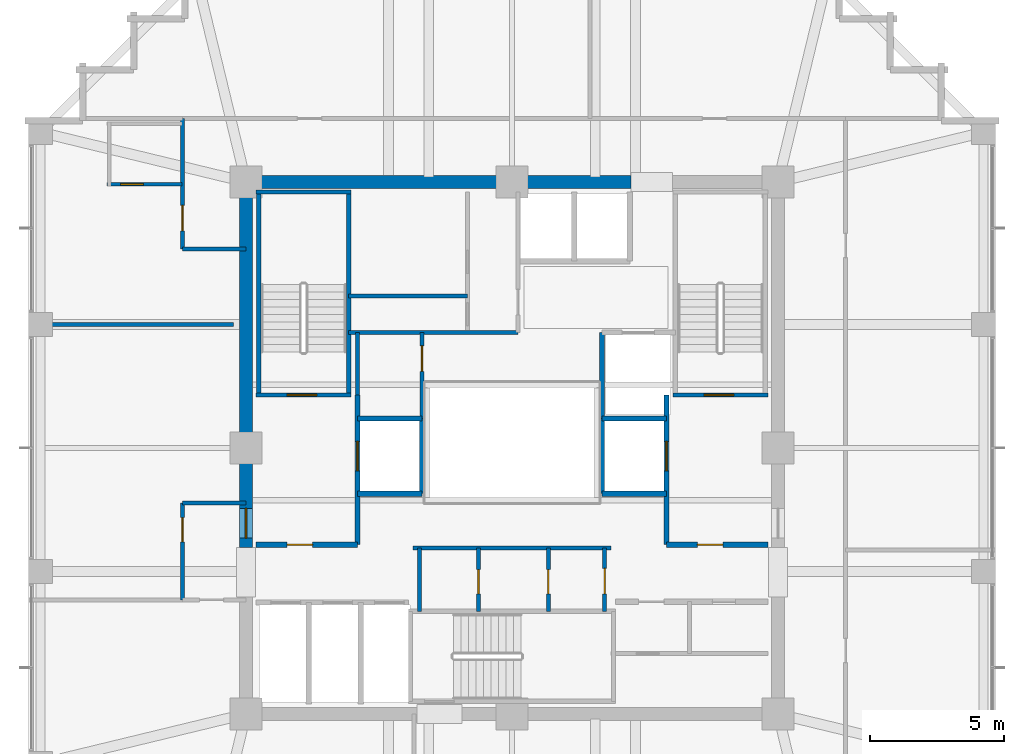
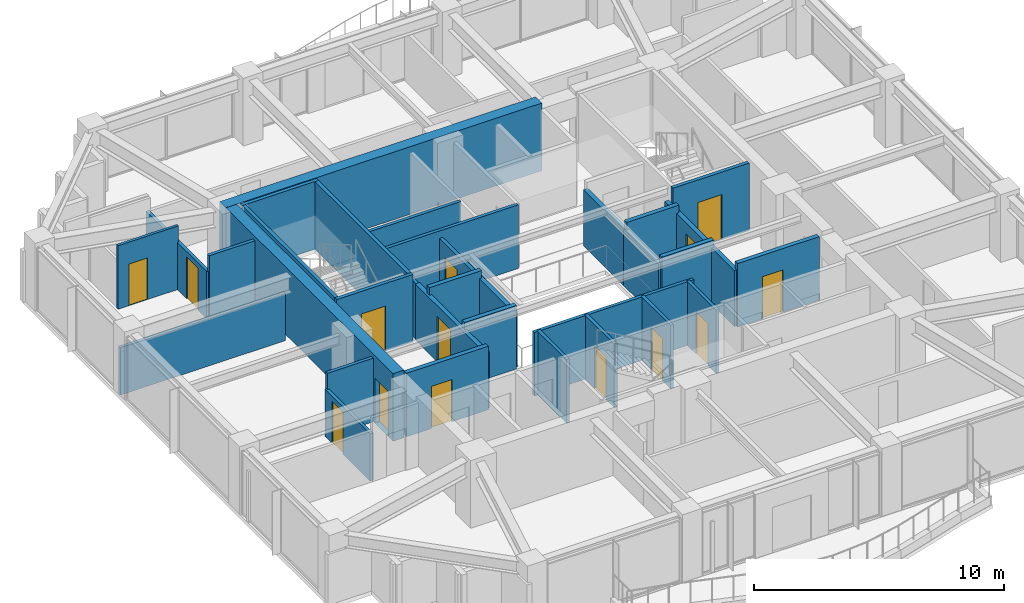
# One storey, part 27 of 31: 33 walls, 14 doors, 14 openings.
"""IFC4 building model written with IfcOpenShell, lengths in metres."""

from ifc_helpers import new_model, si_unit, direction, frame, frame_2d, origin, place, context, subcontext, project, spatial, rectangle, extrude, material, layer, layer_set, type_object, element, fill, save


model = new_model("IFC4")

# Units and contexts
model_context = context("Model", 3, precision=1e-05, world=origin(), true_north=direction((0.0, 1.0)))
body_context = subcontext(model_context, "Body", "Model", "MODEL_VIEW")
ifc_project = project(units=[si_unit("LENGTHUNIT", "METRE"), si_unit("AREAUNIT", "SQUARE_METRE"), si_unit("VOLUMEUNIT", "CUBIC_METRE"), si_unit("PLANEANGLEUNIT", "RADIAN"), si_unit("MASSUNIT", "GRAM", prefix="KILO")], contexts=[model_context])

# Site, building, storey
site_placement = place(None, origin())
site = spatial("IfcSite", under=ifc_project, at=site_placement, CompositionType="ELEMENT")
building_placement = place(site_placement, origin())
building = spatial("IfcBuilding", under=site, at=building_placement, Name="Kolvaren Belvedere", CompositionType="ELEMENT")
storey_placement = place(building_placement, frame((0.0, 0.0, 134.89990234375)))
storey = spatial("IfcBuildingStorey", under=building, at=storey_placement, Name="L39", CompositionType="ELEMENT", Elevation=134.89990234375)

# Wall
ifc_material_1 = material(Name="Concrete C50/60", Category="concrete")
ifc_layer_1 = layer(ifc_material_1, 0.5)
ifc_layer_set_1 = layer_set([ifc_layer_1], Name="Concrete C50/60")
wall_type_1 = type_object("IfcWallType", Name="CW-CORE-500", PredefinedType="SHEAR", material=ifc_layer_set_1)
wall_1_placement = place(storey_placement, frame((-10.14990234375, 9.89990234375, 0.0), z_axis=(0.0, 0.0, 1.0), x_axis=(1.0, 0.0, 0.0)))
element("IfcWall", 1, at=wall_1_placement, inside=storey, type_object=wall_type_1, Name="L39 North Core Shear Wall 1", PredefinedType="SHEAR", context=body_context, shape_type="SweptSolid", body=[
    extrude(rectangle(XDim=14.56982421875, YDim=0.5, at=frame_2d((7.284912109375, 0.0))), origin(), (0.0, 0.0, 1.0), 3.300048828125),
])

# Wall, opening, door
wall_2_placement = place(storey_placement, frame((-9.89990234375, -3.699951171875, 0.0), z_axis=(0.0, 0.0, 1.0), x_axis=(0.0, 1.0, 0.0)))
wall_2 = element("IfcWall", 2, at=wall_2_placement, inside=storey, type_object=wall_type_1, Name="L39 West Core Shear Wall 2", PredefinedType="SHEAR", context=body_context, shape_type="SweptSolid", body=[
    extrude(rectangle(XDim=13.349853515625, YDim=0.5, at=frame_2d((6.6748046875, 0.0))), origin(), (0.0, 0.0, 1.0), 3.300048828125),
])
opening_1_placement = place(wall_2_placement, frame((0.35009765625, 0.0, 0.0)))
opening_1 = element("IfcOpeningElement", 3, at=opening_1_placement, cuts=wall_2, Name="Opening D-FD90", PredefinedType="OPENING", context=body_context, shape_type="SweptSolid", body=[
    extrude(rectangle(XDim=1.10009765625, YDim=2.199951171875, at=frame_2d((0.550048828125, 1.10009765625))), frame((0.0, 0.260009765625, 0.0), z_axis=(0.0, -1.0, 0.0), x_axis=(1.0, 0.0, 0.0)), (0.0, 0.0, 1.0), 0.52001953125),
])
ifc_material_2 = material(Name="Painted hollow stainless steel", Category="steel")
door_type_1 = type_object("IfcDoorType", Name="DR-FD90-1100", OperationType="NOTDEFINED", PredefinedType="DOOR", material=ifc_material_2)
door_1_placement = place(opening_1_placement, origin())
door_1 = element("IfcDoor", 4, at=door_1_placement, inside=storey, type_object=door_type_1, Name="L39 West Firefighting Lobby Fire Door", OperationType="SINGLE_SWING_LEFT", OverallHeight=2.199951171875, OverallWidth=1.10009765625, PredefinedType="DOOR", context=body_context, shape_type="SweptSolid", body=[
    extrude(rectangle(XDim=1.10009765625, YDim=2.199951171875, at=frame_2d((0.550048828125, 1.10009765625))), frame((0.0, 0.02490234375, 0.0), z_axis=(0.0, -1.0, 0.0), x_axis=(1.0, 0.0, 0.0)), (0.0, 0.0, 1.0), 0.050048828125),
])
fill(opening_1, door_1)

ifc_material_3 = material(Name="Concrete C50/60", Category="concrete")
ifc_layer_2 = layer(ifc_material_3, 0.159912109375)
ifc_layer_set_2 = layer_set([ifc_layer_2], Name="Concrete C50/60")
wall_type_2 = type_object("IfcWallType", Name="CW-STAIR-160", PredefinedType="SHEAR", material=ifc_layer_set_2)
wall_3_placement = place(storey_placement, frame((-9.52001953125, 1.969970703125, 0.0), z_axis=(0.0, 0.0, 1.0), x_axis=(1.0, 0.0, 0.0)))
wall_3 = element("IfcWall", 5, at=wall_3_placement, inside=storey, type_object=wall_type_2, Name="L39 Stair ST-1 South Shear Wall", PredefinedType="SHEAR", context=body_context, shape_type="SweptSolid", body=[
    extrude(rectangle(XDim=3.52001953125, YDim=0.159912109375, at=frame_2d((1.760009765625, 0.0))), origin(), (0.0, 0.0, 1.0), 3.300048828125),
])
opening_2_placement = place(wall_3_placement, frame((1.14990234375, 0.0, 0.0)))
opening_2 = element("IfcOpeningElement", 6, at=opening_2_placement, cuts=wall_3, Name="Opening D-FD90", PredefinedType="OPENING", context=body_context, shape_type="SweptSolid", body=[
    extrude(rectangle(XDim=1.10009765625, YDim=2.199951171875, at=frame_2d((0.550048828125, 1.10009765625))), frame((0.0, 0.08984375, 0.0), z_axis=(0.0, -1.0, 0.0), x_axis=(1.0, 0.0, 0.0)), (0.0, 0.0, 1.0), 0.179931640625),
])
door_2_placement = place(opening_2_placement, origin())
door_2 = element("IfcDoor", 7, at=door_2_placement, inside=storey, type_object=door_type_1, Name="L39 Stair ST-1 Fire Door", OperationType="SINGLE_SWING_LEFT", OverallHeight=2.199951171875, OverallWidth=1.10009765625, PredefinedType="DOOR", context=body_context, shape_type="SweptSolid", body=[
    extrude(rectangle(XDim=1.10009765625, YDim=2.199951171875, at=frame_2d((0.550048828125, 1.10009765625))), frame((0.0, 0.02490234375, 0.0), z_axis=(0.0, -1.0, 0.0), x_axis=(1.0, 0.0, 0.0)), (0.0, 0.0, 1.0), 0.050048828125),
])
fill(opening_2, door_2)

# Walls
wall_4_placement = place(storey_placement, frame((-9.52001953125, 9.530029296875, 0.0), z_axis=(0.0, 0.0, 1.0), x_axis=(1.0, 0.0, 0.0)))
element("IfcWall", 8, at=wall_4_placement, inside=storey, type_object=wall_type_2, Name="L39 Stair ST-1 North Shear Wall", PredefinedType="SHEAR", context=body_context, shape_type="SweptSolid", body=[
    extrude(rectangle(XDim=3.52001953125, YDim=0.159912109375, at=frame_2d((1.760009765625, 0.0))), origin(), (0.0, 0.0, 1.0), 3.300048828125),
])
for number, where, z_axis, x_axis, name in (
    (9, (-9.429931640625, 1.969970703125, 0.0), (0.0, 0.0, 1.0), (0.0, 1.0, 0.0), "L39 Stair ST-1 West Shear Wall"),
    (10, (-6.080078125, 1.969970703125, 0.0), (0.0, 0.0, 1.0), (0.0, 1.0, 0.0), "L39 Stair ST-1 East Shear Wall"),
):
    element("IfcWall", number, at=place(storey_placement, frame(where, z_axis=z_axis, x_axis=x_axis)), inside=storey, type_object=wall_type_2, Name=name, PredefinedType="SHEAR", context=body_context, shape_type="SweptSolid", body=[
        extrude(rectangle(XDim=7.56005859375, YDim=0.159912109375, at=frame_2d((3.780029296875, 0.0))), origin(), (0.0, 0.0, 1.0), 3.300048828125),
    ])

# Wall, opening, door
wall_5_placement = place(storey_placement, frame((6.0, 1.969970703125, 0.0), z_axis=(0.0, 0.0, 1.0), x_axis=(1.0, 0.0, 0.0)))
wall_5 = element("IfcWall", 11, at=wall_5_placement, inside=storey, type_object=wall_type_2, Name="L39 Stair ST-2 South Shear Wall", PredefinedType="SHEAR", context=body_context, shape_type="SweptSolid", body=[
    extrude(rectangle(XDim=3.52001953125, YDim=0.159912109375, at=frame_2d((1.760009765625, 0.0))), origin(), (0.0, 0.0, 1.0), 3.300048828125),
])
opening_3_placement = place(wall_5_placement, frame((1.14990234375, 0.0, 0.0)))
opening_3 = element("IfcOpeningElement", 12, at=opening_3_placement, cuts=wall_5, Name="Opening D-FD90", PredefinedType="OPENING", context=body_context, shape_type="SweptSolid", body=[
    extrude(rectangle(XDim=1.10009765625, YDim=2.199951171875, at=frame_2d((0.550048828125, 1.10009765625))), frame((0.0, 0.08984375, 0.0), z_axis=(0.0, -1.0, 0.0), x_axis=(1.0, 0.0, 0.0)), (0.0, 0.0, 1.0), 0.179931640625),
])
door_3_placement = place(opening_3_placement, origin())
door_3 = element("IfcDoor", 13, at=door_3_placement, inside=storey, type_object=door_type_1, Name="L39 Stair ST-2 Fire Door", OperationType="SINGLE_SWING_RIGHT", OverallHeight=2.199951171875, OverallWidth=1.10009765625, PredefinedType="DOOR", context=body_context, shape_type="SweptSolid", body=[
    extrude(rectangle(XDim=1.10009765625, YDim=2.199951171875, at=frame_2d((0.550048828125, 1.10009765625))), frame((0.0, 0.02490234375, 0.0), z_axis=(0.0, -1.0, 0.0), x_axis=(1.0, 0.0, 0.0)), (0.0, 0.0, 1.0), 0.050048828125),
])
fill(opening_3, door_3)

ifc_material_4 = material(Name="Gypsum fire-rated partition assembly", Category="gypsum")
ifc_layer_3 = layer(ifc_material_4, 0.14990234375)
ifc_layer_set_3 = layer_set([ifc_layer_3], Name="Gypsum fire-rated partition assembly")
wall_type_3 = type_object("IfcWallType", Name="WL-CORR-150", PredefinedType="PARTITIONING", material=ifc_layer_set_3)
wall_6_placement = place(storey_placement, frame((-12.260009765625, 7.39990234375, 0.0), z_axis=(0.0, 0.0, 1.0), x_axis=(0.0, 1.0, 0.0)))
wall_6 = element("IfcWall", 14, at=wall_6_placement, inside=storey, type_object=wall_type_3, Name="L39 NW Corridor End Wall", PredefinedType="PARTITIONING", context=body_context, shape_type="SweptSolid", body=[
    extrude(rectangle(XDim=4.860107421875, YDim=0.14990234375, at=frame_2d((2.43017578125, 0.0))), origin(), (0.0, 0.0, 1.0), 2.31201171875),
])
opening_4_placement = place(wall_6_placement, frame((0.682861328125, 0.0, 0.0)))
opening_4 = element("IfcOpeningElement", 15, at=opening_4_placement, cuts=wall_6, Name="Opening D-FD60", PredefinedType="OPENING", context=body_context, shape_type="SweptSolid", body=[
    extrude(rectangle(XDim=0.949951171875, YDim=2.06005859375, at=frame_2d((0.47509765625, 1.030029296875))), frame((0.0, 0.0849609375, 0.0), z_axis=(0.0, -1.0, 0.0), x_axis=(1.0, 0.0, 0.0)), (0.0, 0.0, 1.0), 0.169921875),
])
ifc_material_5 = material(Name="Acoustic white-oak fire door leaf", Category="timber")
door_type_2 = type_object("IfcDoorType", Name="DR-FD60-950", OperationType="NOTDEFINED", PredefinedType="DOOR", material=ifc_material_5)
door_4_placement = place(opening_4_placement, origin())
door_4 = element("IfcDoor", 16, at=door_4_placement, inside=storey, type_object=door_type_2, Name="L39 Botanical Hospitality Suite 3905 Entry Door", OperationType="SINGLE_SWING_RIGHT", OverallHeight=2.06005859375, OverallWidth=0.949951171875, PredefinedType="DOOR", context=body_context, shape_type="SweptSolid", body=[
    extrude(rectangle(XDim=0.949951171875, YDim=2.06005859375, at=frame_2d((0.47509765625, 1.030029296875))), frame((0.0, 0.02490234375, 0.0), z_axis=(0.0, -1.0, 0.0), x_axis=(1.0, 0.0, 0.0)), (0.0, 0.0, 1.0), 0.050048828125),
])
fill(opening_4, door_4)

# Wall
wall_7_placement = place(storey_placement, frame((-12.260009765625, 7.39990234375, 0.0), z_axis=(0.0, 0.0, 1.0), x_axis=(1.0, 0.0, 0.0)))
element("IfcWall", 17, at=wall_7_placement, inside=storey, type_object=wall_type_3, Name="L39 NW Core Closure Wall", PredefinedType="PARTITIONING", context=body_context, shape_type="SweptSolid", body=[
    extrude(rectangle(XDim=2.360107421875, YDim=0.14990234375, at=frame_2d((1.18017578125, 0.0))), origin(), (0.0, 0.0, 1.0), 3.10009765625),
])

# Wall, opening, door
wall_8_placement = place(storey_placement, frame((-12.260009765625, -5.64990234375, 0.0), z_axis=(0.0, 0.0, 1.0), x_axis=(0.0, 1.0, 0.0)))
wall_8 = element("IfcWall", 18, at=wall_8_placement, inside=storey, type_object=wall_type_3, Name="L39 West FSAE Pocket Wall", PredefinedType="PARTITIONING", context=body_context, shape_type="SweptSolid", body=[
    extrude(rectangle(XDim=3.599853515625, YDim=0.14990234375, at=frame_2d((1.7998046875, 0.0))), origin(), (0.0, 0.0, 1.0), 2.31201171875),
])
opening_5_placement = place(wall_8_placement, frame((2.15625, 0.0, 0.0)))
opening_5 = element("IfcOpeningElement", 19, at=opening_5_placement, cuts=wall_8, Name="Opening D-INT90", PredefinedType="OPENING", context=body_context, shape_type="SweptSolid", body=[
    extrude(rectangle(XDim=0.89990234375, YDim=2.06005859375, at=frame_2d((0.449951171875, 1.030029296875))), frame((0.0, 0.0849609375, 0.0), z_axis=(0.0, -1.0, 0.0), x_axis=(1.0, 0.0, 0.0)), (0.0, 0.0, 1.0), 0.169921875),
])
ifc_material_6 = material(Name="Stained Pacific white oak", Category="timber")
door_type_3 = type_object("IfcDoorType", Name="DR-INT-900", OperationType="NOTDEFINED", PredefinedType="DOOR", material=ifc_material_6)
door_5_placement = place(opening_5_placement, origin())
door_5 = element("IfcDoor", 20, at=door_5_placement, inside=storey, type_object=door_type_3, Name="L39 Lounge 3906 Door", OperationType="SINGLE_SWING_LEFT", OverallHeight=2.06005859375, OverallWidth=0.89990234375, PredefinedType="DOOR", context=body_context, shape_type="SweptSolid", body=[
    extrude(rectangle(XDim=0.89990234375, YDim=2.06005859375, at=frame_2d((0.449951171875, 1.030029296875))), frame((0.0, 0.02490234375, 0.0), z_axis=(0.0, -1.0, 0.0), x_axis=(1.0, 0.0, 0.0)), (0.0, 0.0, 1.0), 0.050048828125),
])
fill(opening_5, door_5)

# Walls
wall_9_placement = place(storey_placement, frame((-12.260009765625, -2.050048828125, 0.0), z_axis=(0.0, 0.0, 1.0), x_axis=(1.0, 0.0, 0.0)))
element("IfcWall", 21, at=wall_9_placement, inside=storey, type_object=wall_type_3, Name="L39 West Pocket North Closure Wall", PredefinedType="PARTITIONING", context=body_context, shape_type="SweptSolid", body=[
    extrude(rectangle(XDim=2.360107421875, YDim=0.14990234375, at=frame_2d((1.18017578125, 0.0))), origin(), (0.0, 0.0, 1.0), 3.10009765625),
])
ifc_material_7 = material(Name="Gypsum acoustic partition assembly", Category="gypsum")
ifc_layer_4 = layer(ifc_material_7, 0.14990234375)
ifc_layer_set_4 = layer_set([ifc_layer_4], Name="Gypsum acoustic partition assembly")
wall_type_4 = type_object("IfcWallType", Name="WL-PART-150", PredefinedType="PARTITIONING", material=ifc_layer_set_4)
wall_10_placement = place(storey_placement, frame((-6.080078125, 4.300048828125, 0.0), z_axis=(0.0, 0.0, 1.0), x_axis=(1.0, 0.0, 0.0)))
element("IfcWall", 22, at=wall_10_placement, inside=storey, type_object=wall_type_4, Name="L39 Reclaimed Salon South Wall", PredefinedType="PARTITIONING", context=body_context, shape_type="SweptSolid", body=[
    extrude(rectangle(XDim=6.300048828125, YDim=0.14990234375, at=frame_2d((3.14990234375, 0.0))), origin(), (0.0, 0.0, 1.0), 3.10009765625),
])
wall_11_placement = place(storey_placement, frame((-6.080078125, 5.64990234375, 0.0), z_axis=(0.0, 0.0, 1.0), x_axis=(1.0, 0.0, 0.0)))
element("IfcWall", 23, at=wall_11_placement, inside=storey, type_object=wall_type_4, Name="L39 Reclaimed Tearoom H-Divider", PredefinedType="PARTITIONING", context=body_context, shape_type="SweptSolid", body=[
    extrude(rectangle(XDim=4.43017578125, YDim=0.14990234375, at=frame_2d((2.215087890625, 0.0))), origin(), (0.0, 0.0, 1.0), 3.10009765625),
])
wall_12_placement = place(storey_placement, frame((-3.679931640625, -3.719970703125, 0.0), z_axis=(0.0, 0.0, 1.0), x_axis=(1.0, 0.0, 0.0)))
element("IfcWall", 24, at=wall_12_placement, inside=storey, type_object=wall_type_4, Name="L39 South Core Service North Wall", PredefinedType="PARTITIONING", context=body_context, shape_type="SweptSolid", body=[
    extrude(rectangle(XDim=7.35986328125, YDim=0.14990234375, at=frame_2d((3.679931640625, 0.0))), origin(), (0.0, 0.0, 1.0), 3.10009765625),
])

# Wall, opening, door
wall_13_placement = place(storey_placement, frame((3.449951171875, -6.080078125, 0.0), z_axis=(0.0, 0.0, 1.0), x_axis=(0.0, 1.0, 0.0)))
wall_13 = element("IfcWall", 25, at=wall_13_placement, inside=storey, type_object=wall_type_4, Name="L39 South Core Service East Wall", PredefinedType="PARTITIONING", context=body_context, shape_type="SweptSolid", body=[
    extrude(rectangle(XDim=2.360107421875, YDim=0.14990234375, at=frame_2d((1.18017578125, 0.0))), origin(), (0.0, 0.0, 1.0), 3.10009765625),
])
opening_6_placement = place(wall_13_placement, frame((0.64990234375, 0.0, 0.0)))
opening_6 = element("IfcOpeningElement", 26, at=opening_6_placement, cuts=wall_13, Name="Opening D-FD60", PredefinedType="OPENING", context=body_context, shape_type="SweptSolid", body=[
    extrude(rectangle(XDim=0.949951171875, YDim=2.06005859375, at=frame_2d((0.47509765625, 1.030029296875))), frame((0.0, 0.0849609375, 0.0), z_axis=(0.0, -1.0, 0.0), x_axis=(1.0, 0.0, 0.0)), (0.0, 0.0, 1.0), 0.169921875),
])
door_6_placement = place(opening_6_placement, origin())
door_6 = element("IfcDoor", 27, at=door_6_placement, inside=storey, type_object=door_type_2, Name="L39 Core Service Room Door", OperationType="SINGLE_SWING_LEFT", OverallHeight=2.06005859375, OverallWidth=0.949951171875, PredefinedType="DOOR", context=body_context, shape_type="SweptSolid", body=[
    extrude(rectangle(XDim=0.949951171875, YDim=2.06005859375, at=frame_2d((0.47509765625, 1.030029296875))), frame((0.0, 0.02490234375, 0.0), z_axis=(0.0, -1.0, 0.0), x_axis=(1.0, 0.0, 0.0)), (0.0, 0.0, 1.0), 0.050048828125),
])
fill(opening_6, door_6)

# Wall
wall_14_placement = place(storey_placement, frame((-3.449951171875, -6.080078125, 0.0), z_axis=(0.0, 0.0, 1.0), x_axis=(0.0, 1.0, 0.0)))
element("IfcWall", 28, at=wall_14_placement, inside=storey, type_object=wall_type_4, Name="L39 South Core Service West Wall", PredefinedType="PARTITIONING", context=body_context, shape_type="SweptSolid", body=[
    extrude(rectangle(XDim=2.360107421875, YDim=0.14990234375, at=frame_2d((1.18017578125, 0.0))), origin(), (0.0, 0.0, 1.0), 3.10009765625),
])

# Wall, opening, door
wall_15_placement = place(storey_placement, frame((1.35009765625, -6.080078125, 0.0), z_axis=(0.0, 0.0, 1.0), x_axis=(0.0, 1.0, 0.0)))
wall_15 = element("IfcWall", 29, at=wall_15_placement, inside=storey, type_object=wall_type_4, Name="L39 Core Service Divider 1", PredefinedType="PARTITIONING", context=body_context, shape_type="SweptSolid", body=[
    extrude(rectangle(XDim=2.360107421875, YDim=0.14990234375, at=frame_2d((1.18017578125, 0.0))), origin(), (0.0, 0.0, 1.0), 3.10009765625),
])
opening_7_placement = place(wall_15_placement, frame((0.64990234375, 0.0, 0.0)))
opening_7 = element("IfcOpeningElement", 30, at=opening_7_placement, cuts=wall_15, Name="Opening D-INT90", PredefinedType="OPENING", context=body_context, shape_type="SweptSolid", body=[
    extrude(rectangle(XDim=0.89990234375, YDim=2.06005859375, at=frame_2d((0.449951171875, 1.030029296875))), frame((0.0, 0.0849609375, 0.0), z_axis=(0.0, -1.0, 0.0), x_axis=(1.0, 0.0, 0.0)), (0.0, 0.0, 1.0), 0.169921875),
])
door_7_placement = place(opening_7_placement, origin())
door_7 = element("IfcDoor", 31, at=door_7_placement, inside=storey, type_object=door_type_3, Name="L39 Data Closet Door", OperationType="SINGLE_SWING_RIGHT", OverallHeight=2.06005859375, OverallWidth=0.89990234375, PredefinedType="DOOR", context=body_context, shape_type="SweptSolid", body=[
    extrude(rectangle(XDim=0.89990234375, YDim=2.06005859375, at=frame_2d((0.449951171875, 1.030029296875))), frame((0.0, 0.02490234375, 0.0), z_axis=(0.0, -1.0, 0.0), x_axis=(1.0, 0.0, 0.0)), (0.0, 0.0, 1.0), 0.050048828125),
])
fill(opening_7, door_7)

wall_16_placement = place(storey_placement, frame((-1.25, -6.080078125, 0.0), z_axis=(0.0, 0.0, 1.0), x_axis=(0.0, 1.0, 0.0)))
wall_16 = element("IfcWall", 32, at=wall_16_placement, inside=storey, type_object=wall_type_4, Name="L39 Core Service Divider 2", PredefinedType="PARTITIONING", context=body_context, shape_type="SweptSolid", body=[
    extrude(rectangle(XDim=2.360107421875, YDim=0.14990234375, at=frame_2d((1.18017578125, 0.0))), origin(), (0.0, 0.0, 1.0), 3.10009765625),
])
opening_8_placement = place(wall_16_placement, frame((0.64990234375, 0.0, 0.0)))
opening_8 = element("IfcOpeningElement", 33, at=opening_8_placement, cuts=wall_16, Name="Opening D-INT90", PredefinedType="OPENING", context=body_context, shape_type="SweptSolid", body=[
    extrude(rectangle(XDim=0.89990234375, YDim=2.06005859375, at=frame_2d((0.449951171875, 1.030029296875))), frame((0.0, 0.0849609375, 0.0), z_axis=(0.0, -1.0, 0.0), x_axis=(1.0, 0.0, 0.0)), (0.0, 0.0, 1.0), 0.169921875),
])
door_8_placement = place(opening_8_placement, origin())
door_8 = element("IfcDoor", 34, at=door_8_placement, inside=storey, type_object=door_type_3, Name="L39 Janitor Room Door", OperationType="SINGLE_SWING_LEFT", OverallHeight=2.06005859375, OverallWidth=0.89990234375, PredefinedType="DOOR", context=body_context, shape_type="SweptSolid", body=[
    extrude(rectangle(XDim=0.89990234375, YDim=2.06005859375, at=frame_2d((0.449951171875, 1.030029296875))), frame((0.0, 0.02490234375, 0.0), z_axis=(0.0, -1.0, 0.0), x_axis=(1.0, 0.0, 0.0)), (0.0, 0.0, 1.0), 0.050048828125),
])
fill(opening_8, door_8)

wall_17_placement = place(storey_placement, frame((-3.35009765625, 1.10009765625, 0.0), z_axis=(0.0, 0.0, 1.0), x_axis=(0.0, 1.0, 0.0)))
wall_17 = element("IfcWall", 35, at=wall_17_placement, inside=storey, type_object=wall_type_4, Name="L39 NW Service Room East Wall", PredefinedType="PARTITIONING", context=body_context, shape_type="SweptSolid", body=[
    extrude(rectangle(XDim=3.199951171875, YDim=0.14990234375, at=frame_2d((1.60009765625, 0.0))), origin(), (0.0, 0.0, 1.0), 2.735107421875),
])
opening_9_placement = place(wall_17_placement, frame((1.75, 0.0, 0.0)))
opening_9 = element("IfcOpeningElement", 36, at=opening_9_placement, cuts=wall_17, Name="Opening D-FD60", PredefinedType="OPENING", context=body_context, shape_type="SweptSolid", body=[
    extrude(rectangle(XDim=0.949951171875, YDim=2.06005859375, at=frame_2d((0.47509765625, 1.030029296875))), frame((0.0, 0.0849609375, 0.0), z_axis=(0.0, -1.0, 0.0), x_axis=(1.0, 0.0, 0.0)), (0.0, 0.0, 1.0), 0.169921875),
])
door_9_placement = place(opening_9_placement, origin())
door_9 = element("IfcDoor", 37, at=door_9_placement, inside=storey, type_object=door_type_2, Name="L39 NW Core Store Door", OperationType="SINGLE_SWING_LEFT", OverallHeight=2.06005859375, OverallWidth=0.949951171875, PredefinedType="DOOR", context=body_context, shape_type="SweptSolid", body=[
    extrude(rectangle(XDim=0.949951171875, YDim=2.06005859375, at=frame_2d((0.47509765625, 1.030029296875))), frame((0.0, 0.02490234375, 0.0), z_axis=(0.0, -1.0, 0.0), x_axis=(1.0, 0.0, 0.0)), (0.0, 0.0, 1.0), 0.050048828125),
])
fill(opening_9, door_9)

# Walls
wall_18_placement = place(storey_placement, frame((-5.75, 1.969970703125, 0.0), z_axis=(0.0, 0.0, 1.0), x_axis=(0.0, 1.0, 0.0)))
element("IfcWall", 38, at=wall_18_placement, inside=storey, type_object=wall_type_4, Name="L39 NW Service Room West Wall", PredefinedType="PARTITIONING", context=body_context, shape_type="SweptSolid", body=[
    extrude(rectangle(XDim=2.330078125, YDim=0.14990234375, at=frame_2d((1.1650390625, 0.0))), origin(), (0.0, 0.0, 1.0), 2.735107421875),
])
wall_19_placement = place(storey_placement, frame((-17.97998046875, 4.60009765625, 0.0), z_axis=(0.0, 0.0, 1.0), x_axis=(1.0, 0.0, 0.0)))
element("IfcWall", 39, at=wall_19_placement, inside=storey, type_object=wall_type_4, Name="L39 West Upper Suite Divider", PredefinedType="PARTITIONING", context=body_context, shape_type="SweptSolid", body=[
    extrude(rectangle(XDim=7.619873046875, YDim=0.14990234375, at=frame_2d((3.81005859375, 0.0))), origin(), (0.0, 0.0, 1.0), 2.31201171875),
])

# Wall, opening, door
ifc_material_8 = material(Name="Concrete C50/60", Category="concrete")
ifc_layer_5 = layer(ifc_material_8, 0.199951171875)
ifc_layer_set_5 = layer_set([ifc_layer_5], Name="Concrete C50/60")
wall_type_5 = type_object("IfcWallType", Name="WL-SHAFT-200", PredefinedType="SOLIDWALL", material=ifc_layer_set_5)
wall_20_placement = place(storey_placement, frame((-9.52001953125, -3.60009765625, 0.0), z_axis=(0.0, 0.0, 1.0), x_axis=(1.0, 0.0, 0.0)))
wall_20 = element("IfcWall", 40, at=wall_20_placement, inside=storey, type_object=wall_type_5, Name="L39 West FSAE Lobby South Wall", PredefinedType="SOLIDWALL", context=body_context, shape_type="SweptSolid", body=[
    extrude(rectangle(XDim=3.77001953125, YDim=0.199951171875, at=frame_2d((1.885009765625, 0.0))), origin(), (0.0, 0.0, 1.0), 3.10009765625),
])
opening_10_placement = place(wall_20_placement, frame((1.14990234375, 0.0, 0.0)))
opening_10 = element("IfcOpeningElement", 41, at=opening_10_placement, cuts=wall_20, Name="Opening D-FD60", PredefinedType="OPENING", context=body_context, shape_type="SweptSolid", body=[
    extrude(rectangle(XDim=0.949951171875, YDim=2.06005859375, at=frame_2d((0.47509765625, 1.030029296875))), frame((0.0, 0.10986328125, 0.0), z_axis=(0.0, -1.0, 0.0), x_axis=(1.0, 0.0, 0.0)), (0.0, 0.0, 1.0), 0.219970703125),
])
door_10_placement = place(opening_10_placement, origin())
door_10 = element("IfcDoor", 42, at=door_10_placement, inside=storey, type_object=door_type_2, Name="L39 Mid-Rise Lift Lobby Fire Door", OperationType="SINGLE_SWING_LEFT", OverallHeight=2.06005859375, OverallWidth=0.949951171875, PredefinedType="DOOR", context=body_context, shape_type="SweptSolid", body=[
    extrude(rectangle(XDim=0.949951171875, YDim=2.06005859375, at=frame_2d((0.47509765625, 1.030029296875))), frame((0.0, 0.02490234375, 0.0), z_axis=(0.0, -1.0, 0.0), x_axis=(1.0, 0.0, 0.0)), (0.0, 0.0, 1.0), 0.050048828125),
])
fill(opening_10, door_10)

wall_21_placement = place(storey_placement, frame((-5.75, -3.60009765625, 0.0), z_axis=(0.0, 0.0, 1.0), x_axis=(0.0, 1.0, 0.0)))
wall_21 = element("IfcWall", 43, at=wall_21_placement, inside=storey, type_object=wall_type_5, Name="L39 FSAE FS1 Landing Wall", PredefinedType="SOLIDWALL", context=body_context, shape_type="SweptSolid", body=[
    extrude(rectangle(XDim=5.570068359375, YDim=0.199951171875, at=frame_2d((2.78515625, 0.0))), origin(), (0.0, 0.0, 1.0), 2.735107421875),
])
opening_11_placement = place(wall_21_placement, frame((2.75, 0.0, 0.0)))
opening_11 = element("IfcOpeningElement", 44, at=opening_11_placement, cuts=wall_21, Name="Opening LD-11", PredefinedType="OPENING", context=body_context, shape_type="SweptSolid", body=[
    extrude(rectangle(XDim=1.10009765625, YDim=2.199951171875, at=frame_2d((0.550048828125, 1.10009765625))), frame((0.0, 0.10986328125, 0.0), z_axis=(0.0, -1.0, 0.0), x_axis=(1.0, 0.0, 0.0)), (0.0, 0.0, 1.0), 0.219970703125),
])
ifc_material_9 = material(Name="Brushed stainless steel", Category="steel")
door_type_4 = type_object("IfcDoorType", Name="DR-LIFT-1100", OperationType="DOUBLE_DOOR_SLIDING", PredefinedType="DOOR", material=ifc_material_9)
door_11_placement = place(opening_11_placement, origin())
door_11 = element("IfcDoor", 45, at=door_11_placement, inside=storey, type_object=door_type_4, Name="L39 Firefighting Lift FS1 Landing Door", OperationType="DOUBLE_DOOR_SLIDING", OverallHeight=2.199951171875, OverallWidth=1.10009765625, PredefinedType="DOOR", context=body_context, shape_type="SweptSolid", body=[
    extrude(rectangle(XDim=1.10009765625, YDim=2.199951171875, at=frame_2d((0.550048828125, 1.10009765625))), frame((0.0, 0.02490234375, 0.0), z_axis=(0.0, -1.0, 0.0), x_axis=(1.0, 0.0, 0.0)), (0.0, 0.0, 1.0), 0.050048828125),
])
fill(opening_11, door_11)

# Walls
wall_22_placement = place(storey_placement, frame((-3.35009765625, -1.699951171875, 0.0), z_axis=(0.0, 0.0, 1.0), x_axis=(0.0, 1.0, 0.0)))
element("IfcWall", 46, at=wall_22_placement, inside=storey, type_object=wall_type_5, Name="L39 FSAE FS1 Back Wall", PredefinedType="SOLIDWALL", context=body_context, shape_type="SweptSolid", body=[
    extrude(rectangle(XDim=2.800048828125, YDim=0.199951171875, at=frame_2d((1.39990234375, 0.0))), origin(), (0.0, 0.0, 1.0), 2.735107421875),
])
for number, where, z_axis, x_axis, name in (
    (47, (-5.75, -1.699951171875, 0.0), (0.0, 0.0, 1.0), (1.0, 0.0, 0.0), "L39 FSAE FS1 South Wall"),
    (48, (-5.75, 1.10009765625, 0.0), (0.0, 0.0, 1.0), (1.0, 0.0, 0.0), "L39 FSAE FS1 North Wall"),
):
    element("IfcWall", number, at=place(storey_placement, frame(where, z_axis=z_axis, x_axis=x_axis)), inside=storey, type_object=wall_type_5, Name=name, PredefinedType="SOLIDWALL", context=body_context, shape_type="SweptSolid", body=[
        extrude(rectangle(XDim=2.39990234375, YDim=0.199951171875, at=frame_2d((1.199951171875, 0.0))), origin(), (0.0, 0.0, 1.0), 3.10009765625),
    ])

# Wall, opening, door
wall_23_placement = place(storey_placement, frame((5.75, -3.60009765625, 0.0), z_axis=(0.0, 0.0, 1.0), x_axis=(1.0, 0.0, 0.0)))
wall_23 = element("IfcWall", 49, at=wall_23_placement, inside=storey, type_object=wall_type_5, Name="L39 East FSAE Lobby South Wall", PredefinedType="SOLIDWALL", context=body_context, shape_type="SweptSolid", body=[
    extrude(rectangle(XDim=3.77001953125, YDim=0.199951171875, at=frame_2d((1.885009765625, 0.0))), origin(), (0.0, 0.0, 1.0), 3.10009765625),
])
opening_12_placement = place(wall_23_placement, frame((1.14990234375, 0.0, 0.0)))
opening_12 = element("IfcOpeningElement", 50, at=opening_12_placement, cuts=wall_23, Name="Opening D-FD60", PredefinedType="OPENING", context=body_context, shape_type="SweptSolid", body=[
    extrude(rectangle(XDim=0.949951171875, YDim=2.06005859375, at=frame_2d((0.47509765625, 1.030029296875))), frame((0.0, 0.10986328125, 0.0), z_axis=(0.0, -1.0, 0.0), x_axis=(1.0, 0.0, 0.0)), (0.0, 0.0, 1.0), 0.219970703125),
])
door_12_placement = place(opening_12_placement, origin())
door_12 = element("IfcDoor", 51, at=door_12_placement, inside=storey, type_object=door_type_2, Name="L39 SE Lift Lobby Fire Door", OperationType="SINGLE_SWING_RIGHT", OverallHeight=2.06005859375, OverallWidth=0.949951171875, PredefinedType="DOOR", context=body_context, shape_type="SweptSolid", body=[
    extrude(rectangle(XDim=0.949951171875, YDim=2.06005859375, at=frame_2d((0.47509765625, 1.030029296875))), frame((0.0, 0.02490234375, 0.0), z_axis=(0.0, -1.0, 0.0), x_axis=(1.0, 0.0, 0.0)), (0.0, 0.0, 1.0), 0.050048828125),
])
fill(opening_12, door_12)

wall_24_placement = place(storey_placement, frame((5.75, -3.60009765625, 0.0), z_axis=(0.0, 0.0, 1.0), x_axis=(0.0, 1.0, 0.0)))
wall_24 = element("IfcWall", 52, at=wall_24_placement, inside=storey, type_object=wall_type_5, Name="L39 FSAE FS2 Landing Wall", PredefinedType="SOLIDWALL", context=body_context, shape_type="SweptSolid", body=[
    extrude(rectangle(XDim=5.570068359375, YDim=0.199951171875, at=frame_2d((2.78515625, 0.0))), origin(), (0.0, 0.0, 1.0), 2.735107421875),
])
opening_13_placement = place(wall_24_placement, frame((2.75, 0.0, 0.0)))
opening_13 = element("IfcOpeningElement", 53, at=opening_13_placement, cuts=wall_24, Name="Opening LD-11", PredefinedType="OPENING", context=body_context, shape_type="SweptSolid", body=[
    extrude(rectangle(XDim=1.10009765625, YDim=2.199951171875, at=frame_2d((0.550048828125, 1.10009765625))), frame((0.0, 0.10986328125, 0.0), z_axis=(0.0, -1.0, 0.0), x_axis=(1.0, 0.0, 0.0)), (0.0, 0.0, 1.0), 0.219970703125),
])
door_13_placement = place(opening_13_placement, origin())
door_13 = element("IfcDoor", 54, at=door_13_placement, inside=storey, type_object=door_type_4, Name="L39 Firefighting Lift FS2 Landing Door", OperationType="DOUBLE_DOOR_SLIDING", OverallHeight=2.199951171875, OverallWidth=1.10009765625, PredefinedType="DOOR", context=body_context, shape_type="SweptSolid", body=[
    extrude(rectangle(XDim=1.10009765625, YDim=2.199951171875, at=frame_2d((0.550048828125, 1.10009765625))), frame((0.0, 0.02490234375, 0.0), z_axis=(0.0, -1.0, 0.0), x_axis=(1.0, 0.0, 0.0)), (0.0, 0.0, 1.0), 0.050048828125),
])
fill(opening_13, door_13)

# Walls
wall_25_placement = place(storey_placement, frame((3.35009765625, -1.699951171875, 0.0), z_axis=(0.0, 0.0, 1.0), x_axis=(0.0, 1.0, 0.0)))
element("IfcWall", 55, at=wall_25_placement, inside=storey, type_object=wall_type_5, Name="L39 FSAE FS2 Back Wall", PredefinedType="SOLIDWALL", context=body_context, shape_type="SweptSolid", body=[
    extrude(rectangle(XDim=2.800048828125, YDim=0.199951171875, at=frame_2d((1.39990234375, 0.0))), origin(), (0.0, 0.0, 1.0), 2.735107421875),
])
for number, where, z_axis, x_axis, name in (
    (56, (3.35009765625, -1.699951171875, 0.0), (0.0, 0.0, 1.0), (1.0, 0.0, 0.0), "L39 FSAE FS2 South Wall"),
    (57, (3.35009765625, 1.10009765625, 0.0), (0.0, 0.0, 1.0), (1.0, 0.0, 0.0), "L39 FSAE FS2 North Wall"),
):
    element("IfcWall", number, at=place(storey_placement, frame(where, z_axis=z_axis, x_axis=x_axis)), inside=storey, type_object=wall_type_5, Name=name, PredefinedType="SOLIDWALL", context=body_context, shape_type="SweptSolid", body=[
        extrude(rectangle(XDim=2.39990234375, YDim=0.199951171875, at=frame_2d((1.199951171875, 0.0))), origin(), (0.0, 0.0, 1.0), 3.10009765625),
    ])
wall_26_placement = place(storey_placement, frame((3.35009765625, 1.10009765625, 0.0), z_axis=(0.0, 0.0, 1.0), x_axis=(0.0, 1.0, 0.0)))
element("IfcWall", 58, at=wall_26_placement, inside=storey, type_object=wall_type_5, Name="L39 Service Lift SV1 West Wall", PredefinedType="SOLIDWALL", context=body_context, shape_type="SweptSolid", body=[
    extrude(rectangle(XDim=3.199951171875, YDim=0.199951171875, at=frame_2d((1.60009765625, 0.0))), origin(), (0.0, 0.0, 1.0), 2.735107421875),
])

# Wall, opening, door
ifc_material_10 = material(Name="Moisture-resistant gypsum partition", Category="gypsum")
ifc_layer_6 = layer(ifc_material_10, 0.125)
ifc_layer_set_6 = layer_set([ifc_layer_6], Name="Moisture-resistant gypsum partition")
wall_type_6 = type_object("IfcWallType", Name="WL-WET-125", PredefinedType="PARTITIONING", material=ifc_layer_set_6)
wall_27_placement = place(storey_placement, frame((-15.06494140625, 9.81494140625, 0.0), z_axis=(0.0, 0.0, 1.0), x_axis=(1.0, 0.0, 0.0)))
wall_27 = element("IfcWall", 59, at=wall_27_placement, inside=storey, type_object=wall_type_6, Name="L39 Bathroom Partition PW-L39-BTH-5-N", PredefinedType="PARTITIONING", context=body_context, shape_type="SweptSolid", body=[
    extrude(rectangle(XDim=2.7900390625, YDim=0.125, at=frame_2d((1.39501953125, 0.0))), origin(), (0.0, 0.0, 1.0), 3.10009765625),
])
opening_14_placement = place(wall_27_placement, frame((0.5, 0.0, 0.0)))
opening_14 = element("IfcOpeningElement", 60, at=opening_14_placement, cuts=wall_27, Name="Opening D-BTH85", PredefinedType="OPENING", context=body_context, shape_type="SweptSolid", body=[
    extrude(rectangle(XDim=0.85009765625, YDim=2.030029296875, at=frame_2d((0.425048828125, 1.01513671875))), frame((0.0, 0.072509765625, 0.0), z_axis=(0.0, -1.0, 0.0), x_axis=(1.0, 0.0, 0.0)), (0.0, 0.0, 1.0), 0.14501953125),
])
ifc_material_11 = material(Name="Moisture-sealed Pacific white oak", Category="timber")
door_type_5 = type_object("IfcDoorType", Name="DR-BATH-850", OperationType="NOTDEFINED", PredefinedType="DOOR", material=ifc_material_11)
door_14_placement = place(opening_14_placement, origin())
door_14 = element("IfcDoor", 61, at=door_14_placement, inside=storey, type_object=door_type_5, Name="L39 En-Suite Bathroom 3905 Door", OperationType="SINGLE_SWING_LEFT", OverallHeight=2.030029296875, OverallWidth=0.85009765625, PredefinedType="DOOR", context=body_context, shape_type="SweptSolid", body=[
    extrude(rectangle(XDim=0.85009765625, YDim=2.030029296875, at=frame_2d((0.425048828125, 1.01513671875))), frame((0.0, 0.02490234375, 0.0), z_axis=(0.0, -1.0, 0.0), x_axis=(1.0, 0.0, 0.0)), (0.0, 0.0, 1.0), 0.050048828125),
])
fill(opening_14, door_14)

save(model, "model.ifc")
